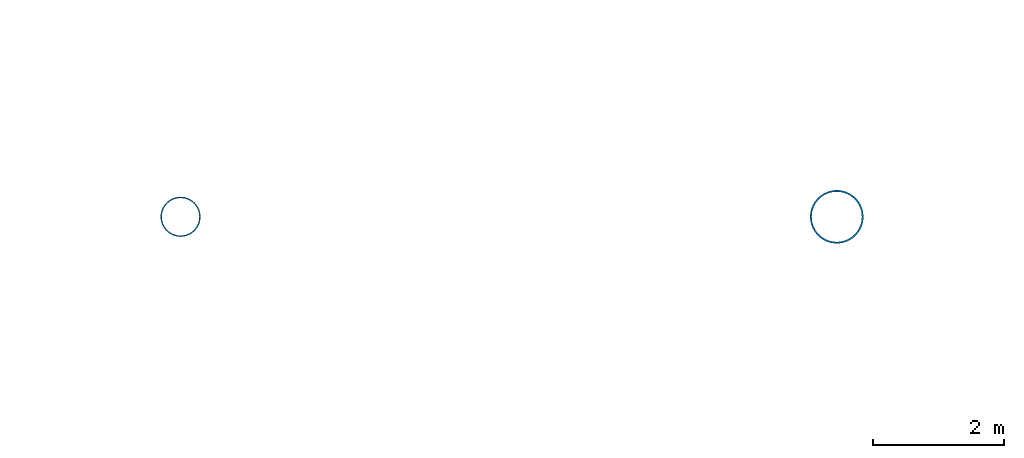
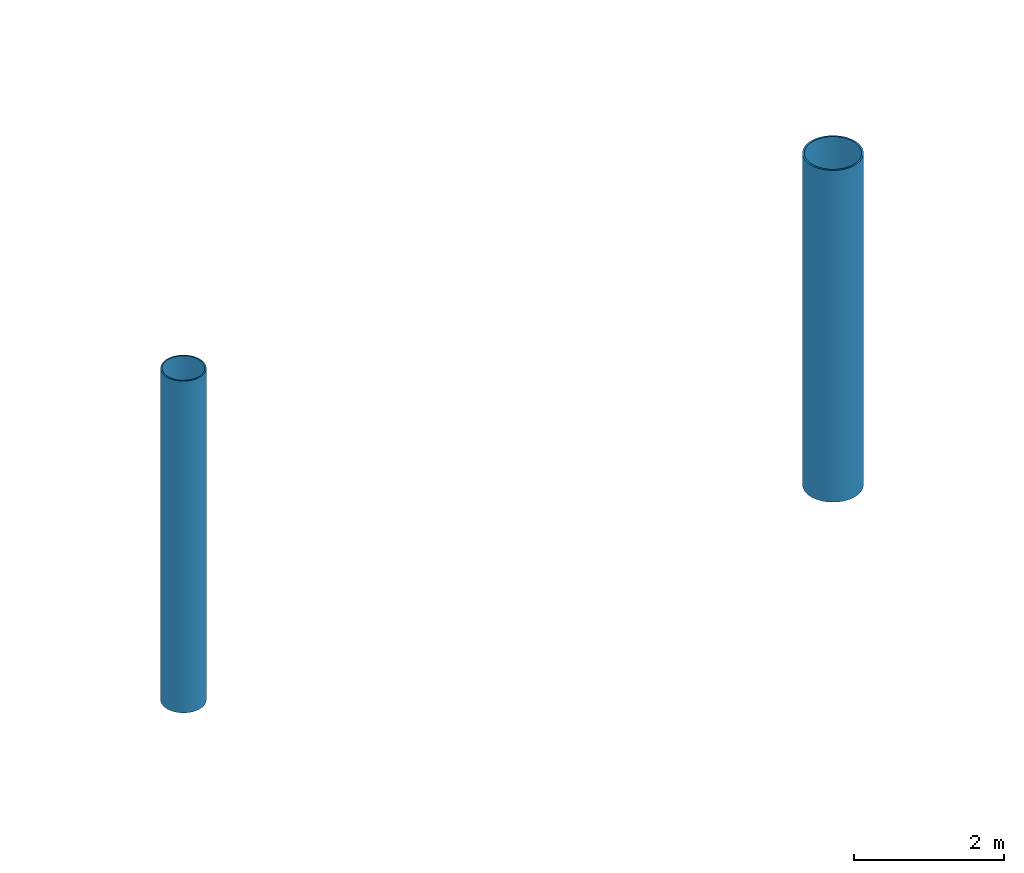
# One storey, part 15 of 176: 2 columns.
"""IFC4 building model written with IfcOpenShell, lengths in metres."""

import ifcopenshell
import ifcopenshell.guid

model = None  # the IFC model being written
_history = None  # IfcOwnerHistory: only IFC2X3 demands one
_inside = {}  # id of a spatial element -> (the spatial element, [elements in it])
_under = {}  # id of a project, library or spatial element -> (it, [spatial elements below it])
_declared = {}  # id of a project -> (the project, [libraries it declares])
_typed = {}  # id of a type object -> (the type object, [elements of that type])
_made_of = {}  # id of a material, layer set ... -> (it, [elements and type objects made of it])


def new_model(schema):
    """Start an empty IFC model of exactly this schema.

    Asked for "IFC4X3", IfcOpenShell would pick the latest addendum, in which some entities
    have other attributes; the version numbers below select the first issue.
    IFC2X3 requires an IfcOwnerHistory on every rooted entity: one is made here for all.
    """
    global model, _history
    if schema == "IFC4X3":
        model = ifcopenshell.file(schema_version=(4, 3, 0, 0))
    else:
        model = ifcopenshell.file(schema=schema)
    _inside.clear()
    _under.clear()
    _declared.clear()
    _typed.clear()
    _made_of.clear()
    _history = None
    if model.schema == "IFC2X3":
        org = make("IfcOrganization", Name="unknown")
        user = make(
            "IfcPersonAndOrganization",
            ThePerson=make("IfcPerson", FamilyName="unknown"),
            TheOrganization=org,
        )
        app = make(
            "IfcApplication",
            ApplicationDeveloper=org,
            Version="unknown",
            ApplicationFullName="unknown",
            ApplicationIdentifier="unknown",
        )
        _history = make(
            "IfcOwnerHistory",
            OwningUser=user,
            OwningApplication=app,
            ChangeAction="ADDED",
            CreationDate=0,
        )
    return model


def make(cls, **values):
    """One entity of the class cls with the attributes given. An attribute that is None is left unset."""
    return model.create_entity(
        cls, **{name: value for name, value in values.items() if value is not None}
    )


def rooted(cls, **values):
    """An entity with a GlobalId (a new one), such as an element, a storey or a relation."""
    return make(cls, GlobalId=ifcopenshell.guid.new(), OwnerHistory=_history, **values)


def si_unit(unit_type, name, prefix=None):
    """IfcSIUnit, for example si_unit("LENGTHUNIT", "METRE", prefix="MILLI")."""
    return make("IfcSIUnit", UnitType=unit_type, Prefix=prefix, Name=name)


def assignment(units):
    """IfcUnitAssignment: the units of a project."""
    return None if units is None else make("IfcUnitAssignment", Units=units)


def point(xyz):
    """IfcCartesianPoint."""
    return None if xyz is None else make("IfcCartesianPoint", Coordinates=xyz)


def direction(xyz):
    """IfcDirection."""
    return None if xyz is None else make("IfcDirection", DirectionRatios=xyz)


def frame(location, z_axis=None, x_axis=None):
    """IfcAxis2Placement3D, a coordinate frame: its origin and axes. An axis left out is left unset."""
    return make(
        "IfcAxis2Placement3D",
        Location=point(location),
        Axis=direction(z_axis),
        RefDirection=direction(x_axis),
    )


def frame_2d(location, x_axis=None):
    """IfcAxis2Placement2D, a coordinate frame in the plane: its origin and x axis."""
    return make(
        "IfcAxis2Placement2D", Location=point(location), RefDirection=direction(x_axis)
    )


def origin():
    """The frame at (0, 0, 0) with its axes left unset."""
    return frame((0.0, 0.0, 0.0))


def origin_2d():
    """The frame at (0, 0) in the plane with its x axis left unset."""
    return frame_2d((0.0, 0.0))


def place(relative_to, where):
    """IfcLocalPlacement: puts the frame where relative to a parent placement (None: the world)."""
    return make(
        "IfcLocalPlacement", PlacementRelTo=relative_to, RelativePlacement=where
    )


def context(
    kind, dimensions, precision=None, world=None, true_north=None, identifier=None
):
    """IfcGeometricRepresentationContext, for example the 3D "Model" context."""
    return make(
        "IfcGeometricRepresentationContext",
        ContextIdentifier=identifier,
        ContextType=kind,
        CoordinateSpaceDimension=dimensions,
        Precision=precision,
        WorldCoordinateSystem=world,
        TrueNorth=true_north,
    )


def subcontext(parent, identifier, kind, view, scale=None):
    """IfcGeometricRepresentationSubContext, for example "Body" below "Model"."""
    return make(
        "IfcGeometricRepresentationSubContext",
        ContextIdentifier=identifier,
        ContextType=kind,
        ParentContext=parent,
        TargetScale=scale,
        TargetView=view,
    )


def project(units=None, contexts=None):
    """IfcProject with its units and contexts."""
    return rooted(
        "IfcProject",
        Name="project",
        RepresentationContexts=contexts,
        UnitsInContext=assignment(units),
    )


def spatial(cls, under=None, at=None, **own):
    """A site, building, storey or space (cls), placed at a placement, below another one or the project."""
    s = rooted(cls, ObjectPlacement=at, **own)
    if under is not None:
        _under.setdefault(under.id(), (under, []))[1].append(s)
    return s


def profile(cls, at=None, kind="AREA", **sizes):
    """A parametric profile (cls). Its sizes go by their IFC names, for example OverallWidth=200.0."""
    return make(cls, ProfileType=kind, Position=at, **sizes)


def hollow_circle(**sizes):
    """IfcCircleHollowProfileDef."""
    return profile("IfcCircleHollowProfileDef", **sizes)


def extrude(swept, where, along, depth):
    """IfcExtrudedAreaSolid: the profile swept, set in the frame where, extruded along a direction by depth."""
    return make(
        "IfcExtrudedAreaSolid",
        SweptArea=swept,
        Position=where,
        ExtrudedDirection=direction(along),
        Depth=depth,
    )


def shape(context_of_items, identifier, shape_type, items):
    """IfcShapeRepresentation: the items that make up one representation, for example the "Body"."""
    return make(
        "IfcShapeRepresentation",
        ContextOfItems=context_of_items,
        RepresentationIdentifier=identifier,
        RepresentationType=shape_type,
        Items=items,
    )


def material(Name=None, Category=None):
    """IfcMaterial."""
    return make("IfcMaterial", Name=Name, Category=Category)


def material_profile(
    of_material, cross_section, Name=None, Category=None, Priority=None
):
    """IfcMaterialProfile: a cross section and its material."""
    return make(
        "IfcMaterialProfile",
        Name=Name,
        Material=of_material,
        Profile=cross_section,
        Priority=Priority,
        Category=Category,
    )


def profile_set(profiles, Name=None, composite=None):
    """IfcMaterialProfileSet."""
    return make(
        "IfcMaterialProfileSet",
        Name=Name,
        MaterialProfiles=profiles,
        CompositeProfile=composite,
    )


def made_of(thing, what):
    """Note that an element or type object is made of a material, layer set ...; save() writes the relation."""
    if what is not None:
        _made_of.setdefault(what.id(), (what, []))[1].append(thing)
    return thing


def type_object(cls, material=None, **own):
    """A type object (cls), such as IfcWallType, which elements share."""
    return made_of(rooted(cls, **own), material)


def element(
    cls,
    number,
    at=None,
    inside=None,
    cuts=None,
    type_object=None,
    material=None,
    context=None,
    identifier="Body",
    shape_type=None,
    held_by="IfcProductDefinitionShape",
    body=None,
    shapes=None,
    **own,
):
    """One element of the class cls, such as IfcWall. Its Tag is "e" and its number.

    at: its placement. inside: the storey or other place that contains it. cuts: it is an
    opening in that element (IfcRelVoidsElement). A single representation is given by context,
    identifier, shape_type and body (its items); several are given by shapes. held_by: the class
    of the entity that holds the representations. save() writes the other relations.
    """
    e = rooted(cls, Tag="e%d" % number, ObjectPlacement=at, **own)
    if body is not None:
        shapes = [shape(context, identifier, shape_type, body)]
    if shapes is not None:
        e.Representation = make(held_by, Representations=shapes)
    if inside is not None:
        _inside.setdefault(inside.id(), (inside, []))[1].append(e)
    if cuts is not None:
        rooted(
            "IfcRelVoidsElement", RelatingBuildingElement=cuts, RelatedOpeningElement=e
        )
    if type_object is not None:
        _typed.setdefault(type_object.id(), (type_object, []))[1].append(e)
    return made_of(e, material)


def aggregate(whole, parts):
    """IfcRelAggregates: a whole, such as a stair, and the parts it consists of."""
    return rooted("IfcRelAggregates", RelatingObject=whole, RelatedObjects=parts)


def save(model, path):
    """Write the relations noted so far, then the file.

    IfcRelAggregates (storeys below a building ...), IfcRelContainedInSpatialStructure (elements
    in a storey), IfcRelDefinesByType, IfcRelAssociatesMaterial and IfcRelDeclares: one each for
    every whole, place, type object, material and project.
    """
    for whole, parts in _under.values():
        aggregate(whole, parts)
    for where, things in _inside.values():
        rooted(
            "IfcRelContainedInSpatialStructure",
            RelatedElements=things,
            RelatingStructure=where,
        )
    for kind, things in _typed.values():
        rooted("IfcRelDefinesByType", RelatedObjects=things, RelatingType=kind)
    for what, things in _made_of.values():
        rooted("IfcRelAssociatesMaterial", RelatedObjects=things, RelatingMaterial=what)
    for by, libraries in _declared.values():
        rooted("IfcRelDeclares", RelatingContext=by, RelatedDefinitions=libraries)
    model.write(path)


model = new_model("IFC4")

# Units and contexts
model_context = context("Model", 3, precision=1e-05, world=origin(), true_north=direction((0.0, 1.0)))
body_context = subcontext(model_context, "Body", "Model", "MODEL_VIEW")
ifc_project = project(units=[si_unit("LENGTHUNIT", "METRE"), si_unit("AREAUNIT", "SQUARE_METRE"), si_unit("VOLUMEUNIT", "CUBIC_METRE"), si_unit("PLANEANGLEUNIT", "RADIAN"), si_unit("MASSUNIT", "GRAM", prefix="KILO")], contexts=[model_context])

# Site, building, storey
site_placement = place(None, origin())
site = spatial("IfcSite", under=ifc_project, at=site_placement, CompositionType="ELEMENT")
building_placement = place(site_placement, origin())
building = spatial("IfcBuilding", under=site, at=building_placement, Name="Khorjan Park Terminus", CompositionType="ELEMENT")
storey_placement = place(building_placement, frame((0.0, 0.0, 6.0)))
storey = spatial("IfcBuildingStorey", under=building, at=storey_placement, Name="L01", CompositionType="ELEMENT", Elevation=6.0)

# Columns
ifc_material = material(Name="Steel S355", Category="steel")
ifc_material_profile_1 = material_profile(ifc_material, hollow_circle(Radius=0.305, WallThickness=0.02, at=origin_2d()), Name="CHS 610x20")
ifc_profile_set_1 = profile_set([ifc_material_profile_1], Name="Steel S355")
column_type_1 = type_object("IfcColumnType", Name="COL-SH610E", PredefinedType="COLUMN", material=ifc_profile_set_1)
column_1_placement = place(storey_placement, frame((148.0, 102.0, 0.0), z_axis=(0.0, 0.0, 1.0), x_axis=(1.0, 0.0, 0.0)))
element("IfcColumn", 1, at=column_1_placement, inside=storey, type_object=column_type_1, Name="Structural column SC-61 (L01 #208)", PredefinedType="COLUMN", context=body_context, shape_type="SweptSolid", body=[
    extrude(hollow_circle(Radius=0.305, WallThickness=0.02, at=origin_2d()), origin(), (0.0, 0.0, 1.0), 5.4),
])
ifc_material_profile_2 = material_profile(ifc_material, hollow_circle(Radius=0.4065, WallThickness=0.025, at=origin_2d()), Name="CHS 813x25")
ifc_profile_set_2 = profile_set([ifc_material_profile_2], Name="Steel S355")
column_type_2 = type_object("IfcColumnType", Name="COL-SH813E", PredefinedType="COLUMN", material=ifc_profile_set_2)
column_2_placement = place(storey_placement, frame((158.0, 102.0, 0.0), z_axis=(0.0, 0.0, 1.0), x_axis=(1.0, 0.0, 0.0)))
element("IfcColumn", 2, at=column_2_placement, inside=storey, type_object=column_type_2, Name="Structural column SC-81 (L01 #220)", PredefinedType="COLUMN", context=body_context, shape_type="SweptSolid", body=[
    extrude(hollow_circle(Radius=0.4065, WallThickness=0.025, at=origin_2d()), origin(), (0.0, 0.0, 1.0), 5.4),
])

save(model, "model.ifc")
